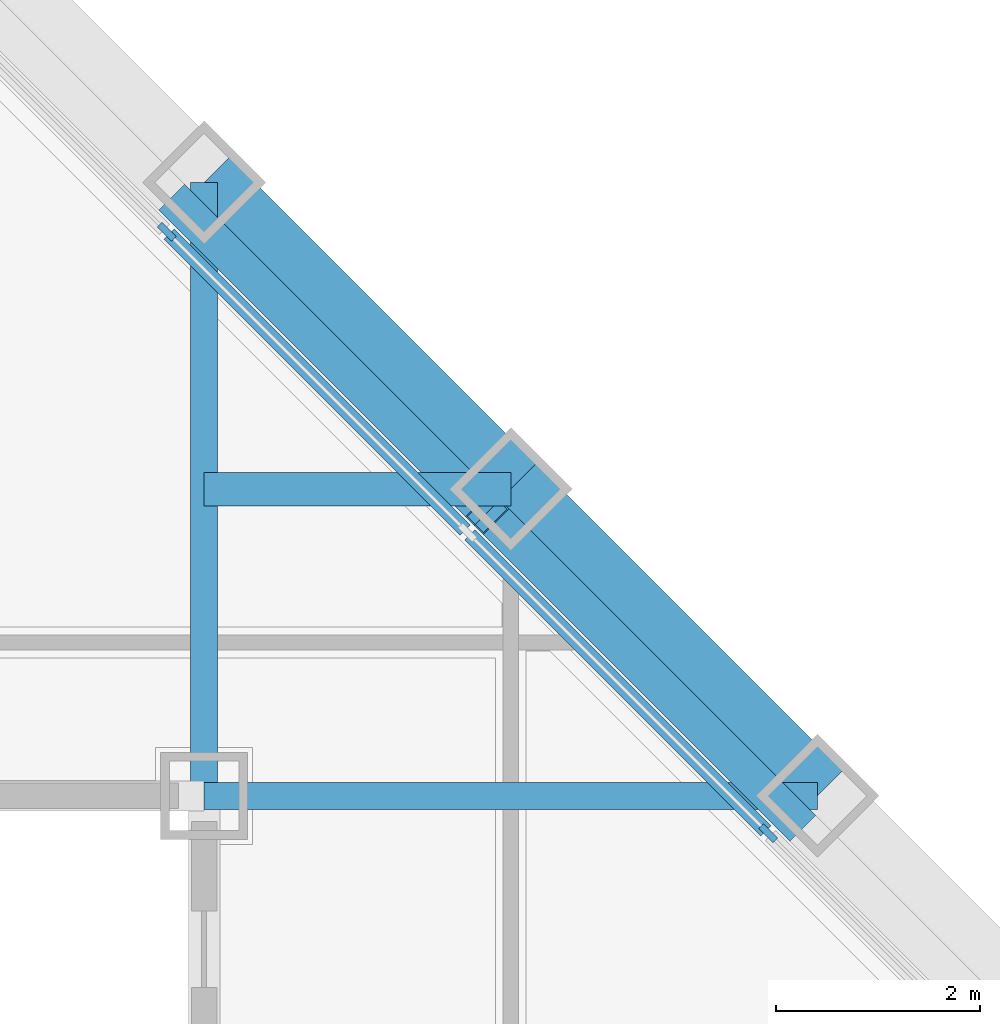
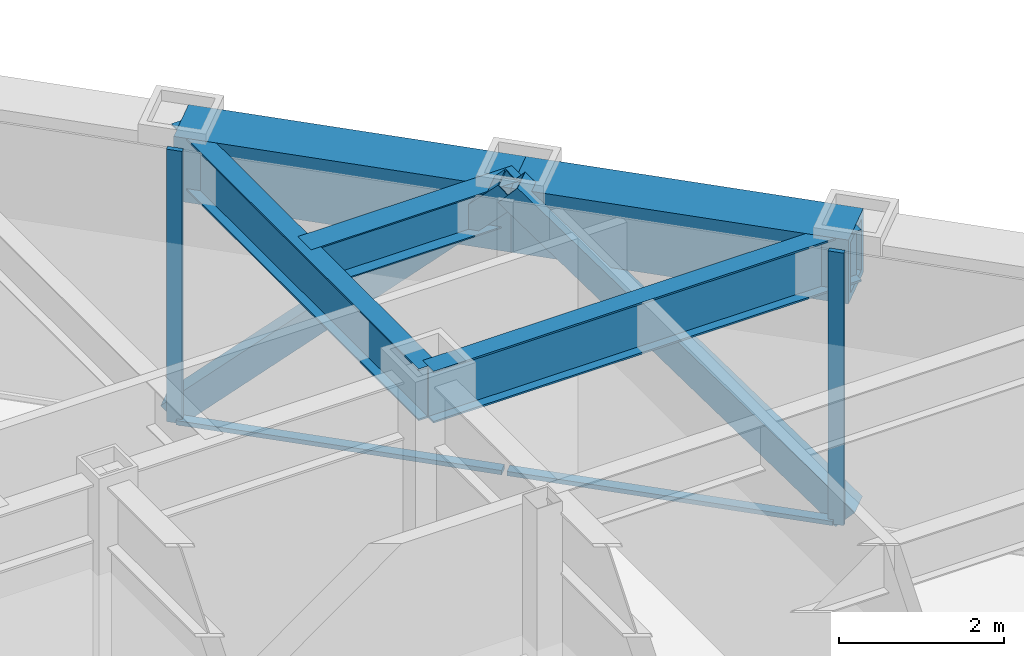
# One storey, part 9 of 16: 6 members, 5 beams, 1 element without a shape of its own.
"""IFC4 building model written with IfcOpenShell, lengths in metres."""

import ifcopenshell
import ifcopenshell.guid

model = None  # the IFC model being written
_history = None  # IfcOwnerHistory: only IFC2X3 demands one
_inside = {}  # id of a spatial element -> (the spatial element, [elements in it])
_under = {}  # id of a project, library or spatial element -> (it, [spatial elements below it])
_declared = {}  # id of a project -> (the project, [libraries it declares])
_typed = {}  # id of a type object -> (the type object, [elements of that type])
_made_of = {}  # id of a material, layer set ... -> (it, [elements and type objects made of it])


def new_model(schema):
    """Start an empty IFC model of exactly this schema.

    Asked for "IFC4X3", IfcOpenShell would pick the latest addendum, in which some entities
    have other attributes; the version numbers below select the first issue.
    IFC2X3 requires an IfcOwnerHistory on every rooted entity: one is made here for all.
    """
    global model, _history
    if schema == "IFC4X3":
        model = ifcopenshell.file(schema_version=(4, 3, 0, 0))
    else:
        model = ifcopenshell.file(schema=schema)
    _inside.clear()
    _under.clear()
    _declared.clear()
    _typed.clear()
    _made_of.clear()
    _history = None
    if model.schema == "IFC2X3":
        org = make("IfcOrganization", Name="unknown")
        user = make(
            "IfcPersonAndOrganization",
            ThePerson=make("IfcPerson", FamilyName="unknown"),
            TheOrganization=org,
        )
        app = make(
            "IfcApplication",
            ApplicationDeveloper=org,
            Version="unknown",
            ApplicationFullName="unknown",
            ApplicationIdentifier="unknown",
        )
        _history = make(
            "IfcOwnerHistory",
            OwningUser=user,
            OwningApplication=app,
            ChangeAction="ADDED",
            CreationDate=0,
        )
    return model


def make(cls, **values):
    """One entity of the class cls with the attributes given. An attribute that is None is left unset."""
    return model.create_entity(
        cls, **{name: value for name, value in values.items() if value is not None}
    )


def rooted(cls, **values):
    """An entity with a GlobalId (a new one), such as an element, a storey or a relation."""
    return make(cls, GlobalId=ifcopenshell.guid.new(), OwnerHistory=_history, **values)


def si_unit(unit_type, name, prefix=None):
    """IfcSIUnit, for example si_unit("LENGTHUNIT", "METRE", prefix="MILLI")."""
    return make("IfcSIUnit", UnitType=unit_type, Prefix=prefix, Name=name)


def assignment(units):
    """IfcUnitAssignment: the units of a project."""
    return None if units is None else make("IfcUnitAssignment", Units=units)


def point(xyz):
    """IfcCartesianPoint."""
    return None if xyz is None else make("IfcCartesianPoint", Coordinates=xyz)


def direction(xyz):
    """IfcDirection."""
    return None if xyz is None else make("IfcDirection", DirectionRatios=xyz)


def frame(location, z_axis=None, x_axis=None):
    """IfcAxis2Placement3D, a coordinate frame: its origin and axes. An axis left out is left unset."""
    return make(
        "IfcAxis2Placement3D",
        Location=point(location),
        Axis=direction(z_axis),
        RefDirection=direction(x_axis),
    )


def frame_2d(location, x_axis=None):
    """IfcAxis2Placement2D, a coordinate frame in the plane: its origin and x axis."""
    return make(
        "IfcAxis2Placement2D", Location=point(location), RefDirection=direction(x_axis)
    )


def origin():
    """The frame at (0, 0, 0) with its axes left unset."""
    return frame((0.0, 0.0, 0.0))


def origin_2d():
    """The frame at (0, 0) in the plane with its x axis left unset."""
    return frame_2d((0.0, 0.0))


def place(relative_to, where):
    """IfcLocalPlacement: puts the frame where relative to a parent placement (None: the world)."""
    return make(
        "IfcLocalPlacement", PlacementRelTo=relative_to, RelativePlacement=where
    )


def context(
    kind, dimensions, precision=None, world=None, true_north=None, identifier=None
):
    """IfcGeometricRepresentationContext, for example the 3D "Model" context."""
    return make(
        "IfcGeometricRepresentationContext",
        ContextIdentifier=identifier,
        ContextType=kind,
        CoordinateSpaceDimension=dimensions,
        Precision=precision,
        WorldCoordinateSystem=world,
        TrueNorth=true_north,
    )


def subcontext(parent, identifier, kind, view, scale=None):
    """IfcGeometricRepresentationSubContext, for example "Body" below "Model"."""
    return make(
        "IfcGeometricRepresentationSubContext",
        ContextIdentifier=identifier,
        ContextType=kind,
        ParentContext=parent,
        TargetScale=scale,
        TargetView=view,
    )


def project(units=None, contexts=None):
    """IfcProject with its units and contexts."""
    return rooted(
        "IfcProject",
        Name="project",
        RepresentationContexts=contexts,
        UnitsInContext=assignment(units),
    )


def spatial(cls, under=None, at=None, **own):
    """A site, building, storey or space (cls), placed at a placement, below another one or the project."""
    s = rooted(cls, ObjectPlacement=at, **own)
    if under is not None:
        _under.setdefault(under.id(), (under, []))[1].append(s)
    return s


def profile(cls, at=None, kind="AREA", **sizes):
    """A parametric profile (cls). Its sizes go by their IFC names, for example OverallWidth=200.0."""
    return make(cls, ProfileType=kind, Position=at, **sizes)


def rectangle(**sizes):
    """IfcRectangleProfileDef."""
    return profile("IfcRectangleProfileDef", **sizes)


def hollow_rectangle(**sizes):
    """IfcRectangleHollowProfileDef."""
    return profile("IfcRectangleHollowProfileDef", **sizes)


def i_section(**sizes):
    """IfcIShapeProfileDef."""
    return profile("IfcIShapeProfileDef", **sizes)


def extrude(swept, where, along, depth):
    """IfcExtrudedAreaSolid: the profile swept, set in the frame where, extruded along a direction by depth."""
    return make(
        "IfcExtrudedAreaSolid",
        SweptArea=swept,
        Position=where,
        ExtrudedDirection=direction(along),
        Depth=depth,
    )


def shape(context_of_items, identifier, shape_type, items):
    """IfcShapeRepresentation: the items that make up one representation, for example the "Body"."""
    return make(
        "IfcShapeRepresentation",
        ContextOfItems=context_of_items,
        RepresentationIdentifier=identifier,
        RepresentationType=shape_type,
        Items=items,
    )


def material(Name=None, Category=None):
    """IfcMaterial."""
    return make("IfcMaterial", Name=Name, Category=Category)


def layer(
    of_material, thickness, ventilated=None, Name=None, Category=None, Priority=None
):
    """IfcMaterialLayer: one layer of a wall or slab, of a material (None: an air gap)."""
    return make(
        "IfcMaterialLayer",
        Material=of_material,
        LayerThickness=thickness,
        IsVentilated=ventilated,
        Name=Name,
        Category=Category,
        Priority=Priority,
    )


def layer_set(layers, Name=None):
    """IfcMaterialLayerSet."""
    return make("IfcMaterialLayerSet", MaterialLayers=layers, LayerSetName=Name)


def material_profile(
    of_material, cross_section, Name=None, Category=None, Priority=None
):
    """IfcMaterialProfile: a cross section and its material."""
    return make(
        "IfcMaterialProfile",
        Name=Name,
        Material=of_material,
        Profile=cross_section,
        Priority=Priority,
        Category=Category,
    )


def profile_set(profiles, Name=None, composite=None):
    """IfcMaterialProfileSet."""
    return make(
        "IfcMaterialProfileSet",
        Name=Name,
        MaterialProfiles=profiles,
        CompositeProfile=composite,
    )


def made_of(thing, what):
    """Note that an element or type object is made of a material, layer set ...; save() writes the relation."""
    if what is not None:
        _made_of.setdefault(what.id(), (what, []))[1].append(thing)
    return thing


def type_object(cls, material=None, **own):
    """A type object (cls), such as IfcWallType, which elements share."""
    return made_of(rooted(cls, **own), material)


def element(
    cls,
    number,
    at=None,
    inside=None,
    cuts=None,
    type_object=None,
    material=None,
    context=None,
    identifier="Body",
    shape_type=None,
    held_by="IfcProductDefinitionShape",
    body=None,
    shapes=None,
    **own,
):
    """One element of the class cls, such as IfcWall. Its Tag is "e" and its number.

    at: its placement. inside: the storey or other place that contains it. cuts: it is an
    opening in that element (IfcRelVoidsElement). A single representation is given by context,
    identifier, shape_type and body (its items); several are given by shapes. held_by: the class
    of the entity that holds the representations. save() writes the other relations.
    """
    e = rooted(cls, Tag="e%d" % number, ObjectPlacement=at, **own)
    if body is not None:
        shapes = [shape(context, identifier, shape_type, body)]
    if shapes is not None:
        e.Representation = make(held_by, Representations=shapes)
    if inside is not None:
        _inside.setdefault(inside.id(), (inside, []))[1].append(e)
    if cuts is not None:
        rooted(
            "IfcRelVoidsElement", RelatingBuildingElement=cuts, RelatedOpeningElement=e
        )
    if type_object is not None:
        _typed.setdefault(type_object.id(), (type_object, []))[1].append(e)
    return made_of(e, material)


def aggregate(whole, parts):
    """IfcRelAggregates: a whole, such as a stair, and the parts it consists of."""
    return rooted("IfcRelAggregates", RelatingObject=whole, RelatedObjects=parts)


def save(model, path):
    """Write the relations noted so far, then the file.

    IfcRelAggregates (storeys below a building ...), IfcRelContainedInSpatialStructure (elements
    in a storey), IfcRelDefinesByType, IfcRelAssociatesMaterial and IfcRelDeclares: one each for
    every whole, place, type object, material and project.
    """
    for whole, parts in _under.values():
        aggregate(whole, parts)
    for where, things in _inside.values():
        rooted(
            "IfcRelContainedInSpatialStructure",
            RelatedElements=things,
            RelatingStructure=where,
        )
    for kind, things in _typed.values():
        rooted("IfcRelDefinesByType", RelatedObjects=things, RelatingType=kind)
    for what, things in _made_of.values():
        rooted("IfcRelAssociatesMaterial", RelatedObjects=things, RelatingMaterial=what)
    for by, libraries in _declared.values():
        rooted("IfcRelDeclares", RelatingContext=by, RelatedDefinitions=libraries)
    model.write(path)


model = new_model("IFC4")

# Units and contexts
model_context = context("Model", 3, precision=1e-05, world=origin(), true_north=direction((0.0, 1.0)))
body_context = subcontext(model_context, "Body", "Model", "MODEL_VIEW")
ifc_project = project(units=[si_unit("LENGTHUNIT", "METRE"), si_unit("AREAUNIT", "SQUARE_METRE"), si_unit("VOLUMEUNIT", "CUBIC_METRE"), si_unit("PLANEANGLEUNIT", "RADIAN"), si_unit("MASSUNIT", "GRAM", prefix="KILO")], contexts=[model_context])

# Site, building, storey
site_placement = place(None, origin())
site = spatial("IfcSite", under=ifc_project, at=site_placement, CompositionType="ELEMENT")
building_placement = place(site_placement, origin())
building = spatial("IfcBuilding", under=site, at=building_placement, Name="Chuquiago Exchange Tower", CompositionType="ELEMENT")
storey_placement = place(building_placement, frame((0.0, 0.0, 243.300048828125)))
storey = spatial("IfcBuildingStorey", under=building, at=storey_placement, Name="L54", CompositionType="ELEMENT", Elevation=243.300048828125)

# Beam
ifc_material_1 = material(Name="Steel ASTM A992", Category="steel")
ifc_material_profile_1 = material_profile(ifc_material_1, i_section(OverallWidth=0.3251953125, OverallDepth=0.612060546875, WebThickness=0.0126953125, FlangeThickness=0.01904296875, at=origin_2d()), Name="W24X104")
ifc_profile_set_1 = profile_set([ifc_material_profile_1], Name="Steel ASTM A992")
beam_type_1 = type_object("IfcBeamType", Name="B2 W24X104", PredefinedType="BEAM", material=ifc_profile_set_1)
beam_placement = place(storey_placement, frame((33.0, 36.0, 3.73388671875), z_axis=(1.0, 0.0, 0.0), x_axis=(0.0, 1.0, 0.0)))
element("IfcBeam", 1, at=beam_placement, inside=storey, type_object=beam_type_1, Name="FB-L55-corner-33_36-36_36-0", PredefinedType="BEAM", context=body_context, shape_type="SweptSolid", body=[
    extrude(i_section(OverallWidth=0.3251953125, OverallDepth=0.612060546875, WebThickness=0.0126953125, FlangeThickness=0.01904296875, at=origin_2d()), origin(), (0.0, 0.0, 1.0), 3.0),
])

# Curtain wall, members
ifc_material_2 = material(Name="Aluminium curtain wall system", Category="aluminium")
ifc_layer = layer(ifc_material_2, 0.199951171875)
ifc_layer_set = layer_set([ifc_layer], Name="CW3 facet curtain wall")
curtain_wall_type = type_object("IfcCurtainWallType", Name="CW3 facet curtain wall", PredefinedType="NOTDEFINED", material=ifc_layer_set)
curtain_wall_placement = place(storey_placement, origin())
curtain_wall = element("IfcCurtainWall", 2, at=curtain_wall_placement, inside=storey, type_object=curtain_wall_type, Name="CW3 curtain wall L54", PredefinedType="NOTDEFINED")
ifc_material_3 = material(Name="Aluminium mullion, pale anodised", Category="aluminium")
ifc_material_profile_2 = material_profile(ifc_material_3, rectangle(XDim=0.06494140625, YDim=0.199951171875, at=origin_2d()), Name="AL 65x200")
ifc_profile_set_2 = profile_set([ifc_material_profile_2], Name="Aluminium mullion, pale anodised")
member_type_1 = type_object("IfcMemberType", Name="CW3-M mullion 65x200", PredefinedType="MULLION", material=ifc_profile_set_2)
member_1_placement = place(storey_placement, frame((38.51708984375, 32.63427734375, 0.0), z_axis=(0.0, 0.0, 1.0), x_axis=(-0.707106781187, -0.707106781187, 0.0)))
member_1 = element("IfcMember", 3, at=member_1_placement, type_object=member_type_1, Name="CW3 mullion 3", PredefinedType="MULLION", context=body_context, shape_type="SweptSolid", body=[
    extrude(rectangle(XDim=0.06494140625, YDim=0.199951171875, at=origin_2d()), origin(), (0.0, 0.0, 1.0), 4.0400390625),
])
member_2_placement = place(storey_placement, frame((32.63427734375, 38.51708984375, 0.0), z_axis=(0.0, 0.0, 1.0), x_axis=(-0.707106781187, -0.707106781187, 0.0)))
member_2 = element("IfcMember", 4, at=member_2_placement, type_object=member_type_1, Name="CW3 mullion 5", PredefinedType="MULLION", context=body_context, shape_type="SweptSolid", body=[
    extrude(rectangle(XDim=0.06494140625, YDim=0.199951171875, at=origin_2d()), origin(), (0.0, 0.0, 1.0), 4.0400390625),
])
ifc_material_4 = material(Name="Aluminium transom, pale anodised", Category="aluminium")
ifc_material_profile_3 = material_profile(ifc_material_4, rectangle(XDim=0.139892578125, YDim=0.06494140625, at=origin_2d()), Name="AL 140x65")
ifc_profile_set_3 = profile_set([ifc_material_profile_3], Name="Aluminium transom, pale anodised")
member_type_2 = type_object("IfcMemberType", Name="CW3-T transom 65x140", PredefinedType="MULLION", material=ifc_profile_set_3)
member_3_placement = place(storey_placement, frame((38.494140625, 32.6572265625, 0.032470703125), z_axis=(-0.707106781187, 0.707106781187, 0.0), x_axis=(-0.707106781187, -0.707106781187, 0.0)))
member_3 = element("IfcMember", 5, at=member_3_placement, type_object=member_type_2, Name="CW3 transom 3.1", PredefinedType="MULLION", context=body_context, shape_type="SweptSolid", body=[
    extrude(rectangle(XDim=0.139892578125, YDim=0.06494140625, at=origin_2d()), origin(), (0.0, 0.0, 1.0), 4.094970703125),
])
member_4_placement = place(storey_placement, frame((35.552734375, 35.5986328125, 0.032470703125), z_axis=(-0.707106781187, 0.707106781187, 0.0), x_axis=(-0.707106781187, -0.707106781187, 0.0)))
member_4 = element("IfcMember", 6, at=member_4_placement, type_object=member_type_2, Name="CW3 transom 4.1", PredefinedType="MULLION", context=body_context, shape_type="SweptSolid", body=[
    extrude(rectangle(XDim=0.139892578125, YDim=0.06494140625, at=origin_2d()), origin(), (0.0, 0.0, 1.0), 4.094970703125),
])
aggregate(curtain_wall, [member_1, member_2, member_3, member_4])

# Beams
ifc_material_5 = material(Name="Steel ASTM A992", Category="steel")
ifc_material_profile_4 = material_profile(ifc_material_5, i_section(OverallWidth=0.2666015625, OverallDepth=0.76953125, WebThickness=0.015625, FlangeThickness=0.025390625, at=origin_2d()), Name="W30X132")
ifc_profile_set_4 = profile_set([ifc_material_profile_4], Name="Steel ASTM A992")
beam_type_2 = type_object("IfcBeamType", Name="G1 W30X132", PredefinedType="BEAM", material=ifc_profile_set_4)
for number, where, z_axis, x_axis, name in (
    (7, (33.0, 33.0, 3.655029296875), (0.0, 1.0, 0.0), (-1.0, 0.0, 0.0), "FB-L55-girder-33_33-33_39-0"),
    (8, (33.0, 33.0, 3.655029296875), (1.0, 0.0, 0.0), (0.0, 1.0, 0.0), "FB-L55-girder-33_33-39_33-0"),
):
    element("IfcBeam", number, at=place(storey_placement, frame(where, z_axis=z_axis, x_axis=x_axis)), inside=storey, type_object=beam_type_2, Name=name, PredefinedType="BEAM", context=body_context, shape_type="SweptSolid", body=[
        extrude(i_section(OverallWidth=0.2666015625, OverallDepth=0.76953125, WebThickness=0.015625, FlangeThickness=0.025390625, at=origin_2d()), origin(), (0.0, 0.0, 1.0), 6.0),
    ])

# Members
ifc_material_6 = material(Name="Steel ASTM A500 Grade C", Category="steel")
ifc_material_profile_5 = material_profile(ifc_material_6, hollow_rectangle(XDim=0.355712890625, YDim=0.355712890625, WallThickness=0.0146484375, at=origin_2d()), Name="HSS14X14X5/8")
ifc_profile_set_5 = profile_set([ifc_material_profile_5], Name="Steel ASTM A500 Grade C")
member_type_3 = type_object("IfcMemberType", Name="LB2 HSS14X14X5/8", PredefinedType="BRACE", material=ifc_profile_set_5)
for number, where, z_axis, x_axis, name in (
    (9, (38.7685546875, 32.7685546875, 0.0), (-0.512077265487, 0.512077265487, 0.689604051861), (-0.707106781187, -0.707106781187, 0.0), "LB-L54-39_33-36_36"),
    (10, (32.7685546875, 38.7685546875, 0.0), (0.512077265487, -0.512077265487, 0.689604051861), (0.707106781187, 0.707106781187, 0.0), "LB-L54-36_36-33_39"),
):
    element("IfcMember", number, at=place(storey_placement, frame(where, z_axis=z_axis, x_axis=x_axis)), inside=storey, type_object=member_type_3, Name=name, PredefinedType="BRACE", context=body_context, shape_type="SweptSolid", body=[
        extrude(hollow_rectangle(XDim=0.355712890625, YDim=0.355712890625, WallThickness=0.0146484375, at=origin_2d()), origin(), (0.0, 0.0, 1.0), 5.8583984375),
    ])

# Beams
ifc_material_7 = material(Name="Steel ASTM A572 Grade 50", Category="steel")
ifc_material_profile_6 = material_profile(ifc_material_7, hollow_rectangle(XDim=0.699951171875, YDim=0.949951171875, WallThickness=0.10009765625, at=origin_2d()), Name="BOX950X700X100")
ifc_profile_set_6 = profile_set([ifc_material_profile_6], Name="Steel ASTM A572 Grade 50")
beam_type_3 = type_object("IfcBeamType", Name="SP5 BOX950X700X100", PredefinedType="SPANDREL", material=ifc_profile_set_6)
for number, where, z_axis, x_axis, name in (
    (11, (39.0, 33.0, 3.56494140625), (-0.707106781187, 0.707106781187, 0.0), (-0.707106781187, -0.707106781187, 0.0), "SPB-L55-39_33-36_36"),
    (12, (36.0, 36.0, 3.56494140625), (-0.707106781187, 0.707106781187, 0.0), (-0.707106781187, -0.707106781187, 0.0), "SPB-L55-36_36-33_39"),
):
    element("IfcBeam", number, at=place(storey_placement, frame(where, z_axis=z_axis, x_axis=x_axis)), inside=storey, type_object=beam_type_3, Name=name, PredefinedType="SPANDREL", context=body_context, shape_type="SweptSolid", body=[
        extrude(hollow_rectangle(XDim=0.699951171875, YDim=0.949951171875, WallThickness=0.10009765625, at=origin_2d()), origin(), (0.0, 0.0, 1.0), 4.24267578125),
    ])

save(model, "model.ifc")
